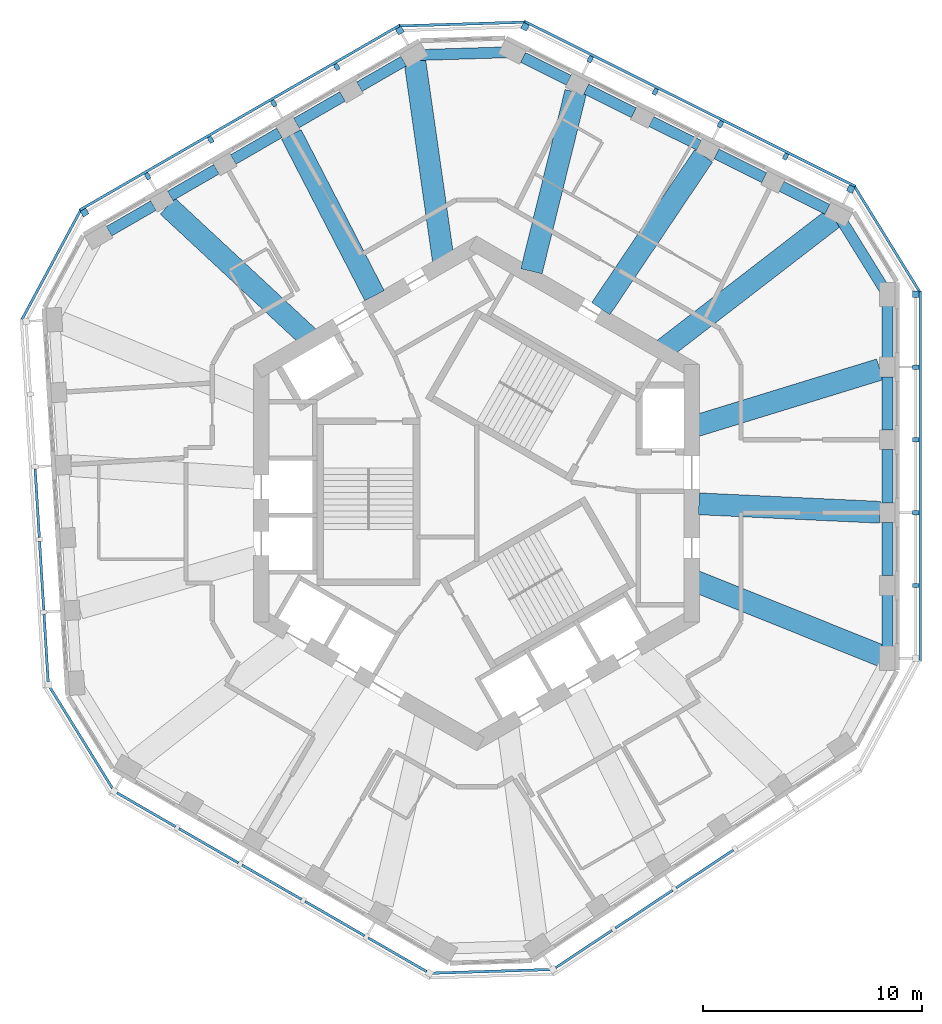
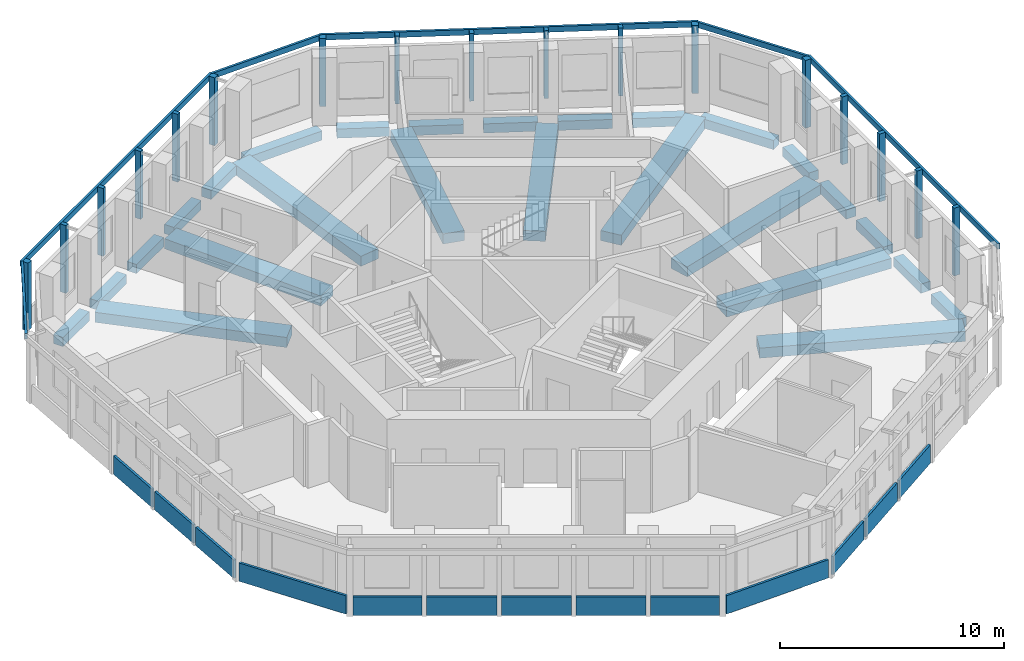
# One storey, part 2 of 10: 26 beams, 23 members, 13 plates, 11 elements without a shape of their own.
"""IFC4 building model written with IfcOpenShell, lengths in metres."""

from ifc_helpers import new_model, si_unit, direction, frame, origin, origin_2d, place, context, subcontext, project, spatial, rectangle, extrude, material, layer, layer_set, material_profile, profile_set, type_object, element, aggregate, save


model = new_model("IFC4")

# Units and contexts
model_context = context("Model", 3, precision=1e-05, world=origin(), true_north=direction((0.0, 1.0)))
body_context = subcontext(model_context, "Body", "Model", "MODEL_VIEW")
ifc_project = project(units=[si_unit("LENGTHUNIT", "METRE"), si_unit("AREAUNIT", "SQUARE_METRE"), si_unit("VOLUMEUNIT", "CUBIC_METRE"), si_unit("PLANEANGLEUNIT", "RADIAN"), si_unit("MASSUNIT", "GRAM", prefix="KILO")], contexts=[model_context])

# Site, building, storey
site_placement = place(None, origin())
site = spatial("IfcSite", under=ifc_project, at=site_placement, CompositionType="ELEMENT")
building_placement = place(site_placement, origin())
building = spatial("IfcBuilding", under=site, at=building_placement, Name="Vanh Sen Convention Tower", CompositionType="ELEMENT")
storey_placement = place(building_placement, frame((0.0, 0.0, 263.5)))
storey = spatial("IfcBuildingStorey", under=building, at=storey_placement, Name="L65", CompositionType="ELEMENT", Elevation=263.5)

# Curtain wall, member
ifc_material_1 = material(Name="Concrete C50/60", Category="concrete")
curtain_wall_type = type_object("IfcCurtainWallType", Name="Outer skin office zone", PredefinedType="NOTDEFINED", material=ifc_material_1)
curtain_wall_1_placement = place(storey_placement, origin())
curtain_wall_1 = element("IfcCurtainWall", 1, at=curtain_wall_1_placement, inside=storey, type_object=curtain_wall_type, Name="OUTER SKIN E L65", PredefinedType="NOTDEFINED")
ifc_material_profile_1 = material_profile(ifc_material_1, rectangle(XDim=0.300048828125, YDim=0.300048828125, at=origin_2d()), Name="Outer skin precast corner fin 300 x 300")
ifc_profile_set_1 = profile_set([ifc_material_profile_1], Name="Concrete C50/60")
member_type_1 = type_object("IfcMemberType", Name="Outer skin precast corner fin 300 x 300", PredefinedType="MULLION", material=ifc_profile_set_1)
member_1_placement = place(storey_placement, frame((20.10009765625, 9.111572265625, 0.0), z_axis=(0.0, 0.0, 1.0), x_axis=(0.0, 1.0, 0.0)))
member_1 = element("IfcMember", 2, at=member_1_placement, type_object=member_type_1, Name="OUTER SKIN CORNER FIN 6 E L65", PredefinedType="MULLION", context=body_context, shape_type="SweptSolid", body=[
    extrude(rectangle(XDim=0.300048828125, YDim=0.300048828125, at=origin_2d()), origin(), (0.0, 0.0, 1.0), 3.699951171875),
])

# Curtain wall, members
curtain_wall_2_placement = place(storey_placement, origin())
curtain_wall_2 = element("IfcCurtainWall", 3, at=curtain_wall_2_placement, inside=storey, type_object=curtain_wall_type, Name="OUTER SKIN NE L65", PredefinedType="NOTDEFINED")
member_2_placement = place(storey_placement, frame((17.122802734375, 13.922607421875, 0.0), z_axis=(0.0, 0.0, 1.0), x_axis=(-0.894934361602, 0.44619781311, 0.0)))
member_2 = element("IfcMember", 4, at=member_2_placement, type_object=member_type_1, Name="OUTER SKIN CORNER FIN 1 NE L65", PredefinedType="MULLION", context=body_context, shape_type="SweptSolid", body=[
    extrude(rectangle(XDim=0.300048828125, YDim=0.300048828125, at=origin_2d()), origin(), (0.0, 0.0, 1.0), 3.699951171875),
])
member_3_placement = place(storey_placement, frame((2.21484375, 21.35546875, 0.0), z_axis=(0.0, 0.0, 1.0), x_axis=(-0.894934361602, 0.44619781311, 0.0)))
member_3 = element("IfcMember", 5, at=member_3_placement, type_object=member_type_1, Name="OUTER SKIN CORNER FIN 6 NE L65", PredefinedType="MULLION", context=body_context, shape_type="SweptSolid", body=[
    extrude(rectangle(XDim=0.300048828125, YDim=0.300048828125, at=origin_2d()), origin(), (0.0, 0.0, 1.0), 3.699951171875),
])

curtain_wall_3_placement = place(storey_placement, origin())
curtain_wall_3 = element("IfcCurtainWall", 6, at=curtain_wall_3_placement, inside=storey, type_object=curtain_wall_type, Name="OUTER SKIN NW L65", PredefinedType="NOTDEFINED")
member_4_placement = place(storey_placement, frame((-3.514404296875, 21.180419921875, 0.0), z_axis=(0.0, 0.0, 1.0), x_axis=(-0.866025403784, -0.5, 0.0)))
member_4 = element("IfcMember", 7, at=member_4_placement, type_object=member_type_1, Name="OUTER SKIN CORNER FIN 1 NW L65", PredefinedType="MULLION", context=body_context, shape_type="SweptSolid", body=[
    extrude(rectangle(XDim=0.300048828125, YDim=0.300048828125, at=origin_2d()), origin(), (0.0, 0.0, 1.0), 3.699951171875),
])
member_5_placement = place(storey_placement, frame((-17.94091796875, 12.851318359375, 0.0), z_axis=(0.0, 0.0, 1.0), x_axis=(-0.866025403784, -0.5, 0.0)))
member_5 = element("IfcMember", 8, at=member_5_placement, type_object=member_type_1, Name="OUTER SKIN CORNER FIN 6 NW L65", PredefinedType="MULLION", context=body_context, shape_type="SweptSolid", body=[
    extrude(rectangle(XDim=0.300048828125, YDim=0.300048828125, at=origin_2d()), origin(), (0.0, 0.0, 1.0), 3.699951171875),
])

# Member
ifc_material_profile_2 = material_profile(ifc_material_1, rectangle(XDim=0.199951171875, YDim=0.300048828125, at=origin_2d()), Name="Outer skin precast fin 200 x 300")
ifc_profile_set_2 = profile_set([ifc_material_profile_2], Name="Concrete C50/60")
member_type_2 = type_object("IfcMemberType", Name="Outer skin precast fin 200 x 300", PredefinedType="MULLION", material=ifc_profile_set_2)
member_6_placement = place(storey_placement, frame((20.10009765625, -4.215087890625, 0.0), z_axis=(0.0, 0.0, 1.0), x_axis=(0.0, 1.0, 0.0)))
member_6 = element("IfcMember", 9, at=member_6_placement, type_object=member_type_2, Name="OUTER SKIN fin 2 E L65", PredefinedType="MULLION", context=body_context, shape_type="SweptSolid", body=[
    extrude(rectangle(XDim=0.199951171875, YDim=0.300048828125, at=origin_2d()), origin(), (0.0, 0.0, 1.0), 3.699951171875),
])

member_7_placement = place(storey_placement, frame((20.10009765625, -0.88330078125, 0.0), z_axis=(0.0, 0.0, 1.0), x_axis=(0.0, 1.0, 0.0)))
member_7 = element("IfcMember", 10, at=member_7_placement, type_object=member_type_2, Name="OUTER SKIN fin 3 E L65", PredefinedType="MULLION", context=body_context, shape_type="SweptSolid", body=[
    extrude(rectangle(XDim=0.199951171875, YDim=0.300048828125, at=origin_2d()), origin(), (0.0, 0.0, 1.0), 3.699951171875),
])

member_8_placement = place(storey_placement, frame((20.10009765625, 2.4482421875, 0.0), z_axis=(0.0, 0.0, 1.0), x_axis=(0.0, 1.0, 0.0)))
member_8 = element("IfcMember", 11, at=member_8_placement, type_object=member_type_2, Name="OUTER SKIN fin 4 E L65", PredefinedType="MULLION", context=body_context, shape_type="SweptSolid", body=[
    extrude(rectangle(XDim=0.199951171875, YDim=0.300048828125, at=origin_2d()), origin(), (0.0, 0.0, 1.0), 3.699951171875),
])

member_9_placement = place(storey_placement, frame((20.10009765625, 5.77978515625, 0.0), z_axis=(0.0, 0.0, 1.0), x_axis=(0.0, 1.0, 0.0)))
member_9 = element("IfcMember", 12, at=member_9_placement, type_object=member_type_2, Name="OUTER SKIN fin 5 E L65", PredefinedType="MULLION", context=body_context, shape_type="SweptSolid", body=[
    extrude(rectangle(XDim=0.199951171875, YDim=0.300048828125, at=origin_2d()), origin(), (0.0, 0.0, 1.0), 3.699951171875),
])

member_10_placement = place(storey_placement, frame((14.14111328125, 15.4091796875, 0.0), z_axis=(0.0, 0.0, 1.0), x_axis=(-0.894934361602, 0.44619781311, 0.0)))
member_10 = element("IfcMember", 13, at=member_10_placement, type_object=member_type_2, Name="OUTER SKIN fin 2 NE L65", PredefinedType="MULLION", context=body_context, shape_type="SweptSolid", body=[
    extrude(rectangle(XDim=0.199951171875, YDim=0.300048828125, at=origin_2d()), origin(), (0.0, 0.0, 1.0), 3.699951171875),
])

member_11_placement = place(storey_placement, frame((11.15966796875, 16.895751953125, 0.0), z_axis=(0.0, 0.0, 1.0), x_axis=(-0.894934361602, 0.44619781311, 0.0)))
member_11 = element("IfcMember", 14, at=member_11_placement, type_object=member_type_2, Name="OUTER SKIN fin 3 NE L65", PredefinedType="MULLION", context=body_context, shape_type="SweptSolid", body=[
    extrude(rectangle(XDim=0.199951171875, YDim=0.300048828125, at=origin_2d()), origin(), (0.0, 0.0, 1.0), 3.699951171875),
])

member_12_placement = place(storey_placement, frame((8.177978515625, 18.38232421875, 0.0), z_axis=(0.0, 0.0, 1.0), x_axis=(-0.894934361602, 0.44619781311, 0.0)))
member_12 = element("IfcMember", 15, at=member_12_placement, type_object=member_type_2, Name="OUTER SKIN fin 4 NE L65", PredefinedType="MULLION", context=body_context, shape_type="SweptSolid", body=[
    extrude(rectangle(XDim=0.199951171875, YDim=0.300048828125, at=origin_2d()), origin(), (0.0, 0.0, 1.0), 3.699951171875),
])

member_13_placement = place(storey_placement, frame((5.1962890625, 19.868896484375, 0.0), z_axis=(0.0, 0.0, 1.0), x_axis=(-0.894934361602, 0.44619781311, 0.0)))
member_13 = element("IfcMember", 16, at=member_13_placement, type_object=member_type_2, Name="OUTER SKIN fin 5 NE L65", PredefinedType="MULLION", context=body_context, shape_type="SweptSolid", body=[
    extrude(rectangle(XDim=0.199951171875, YDim=0.300048828125, at=origin_2d()), origin(), (0.0, 0.0, 1.0), 3.699951171875),
])

member_14_placement = place(storey_placement, frame((-6.399658203125, 19.5146484375, 0.0), z_axis=(0.0, 0.0, 1.0), x_axis=(-0.866025403784, -0.5, 0.0)))
member_14 = element("IfcMember", 17, at=member_14_placement, type_object=member_type_2, Name="OUTER SKIN fin 2 NW L65", PredefinedType="MULLION", context=body_context, shape_type="SweptSolid", body=[
    extrude(rectangle(XDim=0.199951171875, YDim=0.300048828125, at=origin_2d()), origin(), (0.0, 0.0, 1.0), 3.699951171875),
])

member_15_placement = place(storey_placement, frame((-9.284912109375, 17.848876953125, 0.0), z_axis=(0.0, 0.0, 1.0), x_axis=(-0.866025403784, -0.5, 0.0)))
member_15 = element("IfcMember", 18, at=member_15_placement, type_object=member_type_2, Name="OUTER SKIN fin 3 NW L65", PredefinedType="MULLION", context=body_context, shape_type="SweptSolid", body=[
    extrude(rectangle(XDim=0.199951171875, YDim=0.300048828125, at=origin_2d()), origin(), (0.0, 0.0, 1.0), 3.699951171875),
])

member_16_placement = place(storey_placement, frame((-12.170166015625, 16.18310546875, 0.0), z_axis=(0.0, 0.0, 1.0), x_axis=(-0.866025403784, -0.5, 0.0)))
member_16 = element("IfcMember", 19, at=member_16_placement, type_object=member_type_2, Name="OUTER SKIN fin 4 NW L65", PredefinedType="MULLION", context=body_context, shape_type="SweptSolid", body=[
    extrude(rectangle(XDim=0.199951171875, YDim=0.300048828125, at=origin_2d()), origin(), (0.0, 0.0, 1.0), 3.699951171875),
])

member_17_placement = place(storey_placement, frame((-15.055419921875, 14.51708984375, 0.0), z_axis=(0.0, 0.0, 1.0), x_axis=(-0.866025403784, -0.5, 0.0)))
member_17 = element("IfcMember", 20, at=member_17_placement, type_object=member_type_2, Name="OUTER SKIN fin 5 NW L65", PredefinedType="MULLION", context=body_context, shape_type="SweptSolid", body=[
    extrude(rectangle(XDim=0.199951171875, YDim=0.300048828125, at=origin_2d()), origin(), (0.0, 0.0, 1.0), 3.699951171875),
])

ifc_material_profile_3 = material_profile(ifc_material_1, rectangle(XDim=0.1201171875, YDim=0.300048828125, at=origin_2d()), Name="Outer skin precast spandrel band 300 x 120")
ifc_profile_set_3 = profile_set([ifc_material_profile_3], Name="Concrete C50/60")
member_type_3 = type_object("IfcMemberType", Name="Outer skin precast spandrel band 300 x 120", PredefinedType="USERDEFINED", material=ifc_profile_set_3)
member_18_placement = place(storey_placement, frame((20.31005859375, -7.69677734375, 3.550048828125), z_axis=(0.0, 1.0, 0.0), x_axis=(-1.0, 0.0, 0.0)))
member_18 = element("IfcMember", 21, at=member_18_placement, type_object=member_type_3, Name="OUTER SKIN spandrel band E L65", ObjectType="TRANSOM", PredefinedType="USERDEFINED", context=body_context, shape_type="SweptSolid", body=[
    extrude(rectangle(XDim=0.1201171875, YDim=0.300048828125, at=origin_2d()), origin(), (0.0, 0.0, 1.0), 16.958251953125),
])

aggregate(curtain_wall_1, [member_6, member_7, member_8, member_9, member_1, member_18])

# Curtain wall, member
curtain_wall_4_placement = place(storey_placement, origin())
curtain_wall_4 = element("IfcCurtainWall", 22, at=curtain_wall_4_placement, inside=storey, type_object=curtain_wall_type, Name="OUTER SKIN CH1 L65", PredefinedType="NOTDEFINED")
member_19_placement = place(storey_placement, frame((20.278564453125, 9.221923828125, 3.550048828125), z_axis=(-0.52621200061, 0.850353415007, 0.0), x_axis=(-0.850353415007, -0.52621200061, 0.0)))
member_19 = element("IfcMember", 23, at=member_19_placement, type_object=member_type_3, Name="OUTER SKIN spandrel band CH1 L65", ObjectType="TRANSOM", PredefinedType="USERDEFINED", context=body_context, shape_type="SweptSolid", body=[
    extrude(rectangle(XDim=0.1201171875, YDim=0.300048828125, at=origin_2d()), origin(), (0.0, 0.0, 1.0), 5.657958984375),
])
aggregate(curtain_wall_4, [member_19])

# Member
member_20_placement = place(storey_placement, frame((17.3505859375, 14.043701171875, 3.550048828125), z_axis=(-0.894933383827, 0.446199774218, 0.0), x_axis=(-0.446199774218, -0.894933383827, 0.0)))
member_20 = element("IfcMember", 24, at=member_20_placement, type_object=member_type_3, Name="OUTER SKIN spandrel band NE L65", ObjectType="TRANSOM", PredefinedType="USERDEFINED", context=body_context, shape_type="SweptSolid", body=[
    extrude(rectangle(XDim=0.1201171875, YDim=0.300048828125, at=origin_2d()), origin(), (0.0, 0.0, 1.0), 16.9580078125),
])

aggregate(curtain_wall_2, [member_2, member_10, member_11, member_12, member_13, member_3, member_20])

# Curtain wall, member
curtain_wall_5_placement = place(storey_placement, origin())
curtain_wall_5 = element("IfcCurtainWall", 25, at=curtain_wall_5_placement, inside=storey, type_object=curtain_wall_type, Name="OUTER SKIN CH2 L65", PredefinedType="NOTDEFINED")
member_21_placement = place(storey_placement, frame((2.208251953125, 21.5654296875, 3.550048828125), z_axis=(-0.999533527312, -0.030540592307, 0.0), x_axis=(0.030540592307, -0.999533527312, 0.0)))
member_21 = element("IfcMember", 26, at=member_21_placement, type_object=member_type_3, Name="OUTER SKIN spandrel band CH2 L65", ObjectType="TRANSOM", PredefinedType="USERDEFINED", context=body_context, shape_type="SweptSolid", body=[
    extrude(rectangle(XDim=0.1201171875, YDim=0.300048828125, at=origin_2d()), origin(), (0.0, 0.0, 1.0), 5.731689453125),
])
aggregate(curtain_wall_5, [member_21])

# Member
member_22_placement = place(storey_placement, frame((-3.489501953125, 21.4375, 3.550048828125), z_axis=(-0.866022320763, -0.500005339912, 0.0), x_axis=(0.500005339912, -0.866022320763, 0.0)))
member_22 = element("IfcMember", 27, at=member_22_placement, type_object=member_type_3, Name="OUTER SKIN spandrel band NW L65", ObjectType="TRANSOM", PredefinedType="USERDEFINED", context=body_context, shape_type="SweptSolid", body=[
    extrude(rectangle(XDim=0.1201171875, YDim=0.300048828125, at=origin_2d()), origin(), (0.0, 0.0, 1.0), 16.958251953125),
])

aggregate(curtain_wall_3, [member_4, member_14, member_15, member_16, member_17, member_5, member_22])

# Curtain wall, member
curtain_wall_6_placement = place(storey_placement, origin())
curtain_wall_6 = element("IfcCurtainWall", 28, at=curtain_wall_6_placement, inside=storey, type_object=curtain_wall_type, Name="OUTER SKIN CH3 L65", PredefinedType="NOTDEFINED")
member_23_placement = place(storey_placement, frame((-18.125732421875, 12.95068359375, 3.550048828125), z_axis=(-0.473325096028, -0.880887821161, 0.0), x_axis=(0.880887821161, -0.473325096028, 0.0)))
member_23 = element("IfcMember", 29, at=member_23_placement, type_object=member_type_3, Name="OUTER SKIN spandrel band CH3 L65", ObjectType="TRANSOM", PredefinedType="USERDEFINED", context=body_context, shape_type="SweptSolid", body=[
    extrude(rectangle(XDim=0.1201171875, YDim=0.300048828125, at=origin_2d()), origin(), (0.0, 0.0, 1.0), 5.65771484375),
])
aggregate(curtain_wall_6, [member_23])

# Beams
ifc_material_2 = material(Name="Concrete C50/60", Category="concrete")
ifc_material_profile_4 = material_profile(ifc_material_2, rectangle(XDim=1.0, YDim=0.550048828125, at=origin_2d()), Name="RC 1000X550")
ifc_profile_set_4 = profile_set([ifc_material_profile_4], Name="Concrete C50/60")
beam_type_1 = type_object("IfcBeamType", Name="Radial floor beam 1000 x 550", PredefinedType="BEAM", material=ifc_profile_set_4)
beam_1_placement = place(storey_placement, frame((18.640869140625, -7.48291015625, -0.554931640625), z_axis=(-0.928018005696, 0.372535342087, 0.0), x_axis=(-0.372535342087, -0.928018005696, 0.0)))
element("IfcBeam", 30, at=beam_1_placement, inside=storey, type_object=beam_type_1, Name="Radial beam 01 L65", PredefinedType="BEAM", context=body_context, shape_type="SweptSolid", body=[
    extrude(rectangle(XDim=1.0, YDim=0.550048828125, at=origin_2d()), origin(), (0.0, 0.0, 1.0), 9.30126953125),
])
beam_2_placement = place(storey_placement, frame((18.455078125, -0.8671875, -0.554931640625), z_axis=(-0.998898306547, 0.046927318026, 0.0), x_axis=(-0.046927318026, -0.998898306547, 0.0)))
element("IfcBeam", 31, at=beam_2_placement, inside=storey, type_object=beam_type_1, Name="Radial beam 02 L65", PredefinedType="BEAM", context=body_context, shape_type="SweptSolid", body=[
    extrude(rectangle(XDim=1.0, YDim=0.550048828125, at=origin_2d()), origin(), (0.0, 0.0, 1.0), 8.292724609375),
])
beam_3_placement = place(storey_placement, frame((18.454833984375, 5.673828125, -0.554931640625), z_axis=(-0.955847406594, -0.293863463718, 0.0), x_axis=(0.293863463718, -0.955847406594, 0.0)))
element("IfcBeam", 32, at=beam_3_placement, inside=storey, type_object=beam_type_1, Name="Radial beam 03 L65", PredefinedType="BEAM", context=body_context, shape_type="SweptSolid", body=[
    extrude(rectangle(XDim=1.0, YDim=0.550048828125, at=origin_2d()), origin(), (0.0, 0.0, 1.0), 8.794921875),
])
beam_4_placement = place(storey_placement, frame((16.4306640625, 12.672607421875, -0.554931640625), z_axis=(-0.791844751327, -0.610722432695, 0.0), x_axis=(0.610722432695, -0.791844751327, 0.0)))
element("IfcBeam", 33, at=beam_4_placement, inside=storey, type_object=beam_type_1, Name="Radial beam 04 L65", PredefinedType="BEAM", context=body_context, shape_type="SweptSolid", body=[
    extrude(rectangle(XDim=1.0, YDim=0.550048828125, at=origin_2d()), origin(), (0.0, 0.0, 1.0), 9.931640625),
])
beam_5_placement = place(storey_placement, frame((10.38525390625, 15.443603515625, -0.554931640625), z_axis=(-0.558018918526, -0.829828227145, 0.0), x_axis=(0.829828227145, -0.558018918526, 0.0)))
element("IfcBeam", 34, at=beam_5_placement, inside=storey, type_object=beam_type_1, Name="Radial beam 05 L65", PredefinedType="BEAM", context=body_context, shape_type="SweptSolid", body=[
    extrude(rectangle(XDim=1.0, YDim=0.550048828125, at=origin_2d()), origin(), (0.0, 0.0, 1.0), 8.426025390625),
])
beam_6_placement = place(storey_placement, frame((4.531494140625, 18.362060546875, -0.554931640625), z_axis=(-0.239595668833, -0.970872759674, 0.0), x_axis=(0.970872759674, -0.239595668833, 0.0)))
element("IfcBeam", 35, at=beam_6_placement, inside=storey, type_object=beam_type_1, Name="Radial beam 06 L65", PredefinedType="BEAM", context=body_context, shape_type="SweptSolid", body=[
    extrude(rectangle(XDim=1.0, YDim=0.550048828125, at=origin_2d()), origin(), (0.0, 0.0, 1.0), 8.444091796875),
])
beam_7_placement = place(storey_placement, frame((-2.840087890625, 19.885009765625, -0.554931640625), z_axis=(0.141395633576, -0.989953167986, 0.0), x_axis=(0.989953167986, 0.141395633576, 0.0)))
element("IfcBeam", 36, at=beam_7_placement, inside=storey, type_object=beam_type_1, Name="Radial beam 07 L65", PredefinedType="BEAM", context=body_context, shape_type="SweptSolid", body=[
    extrude(rectangle(XDim=1.0, YDim=0.550048828125, at=origin_2d()), origin(), (0.0, 0.0, 1.0), 9.301513671875),
])
beam_8_placement = place(storey_placement, frame((-8.476318359375, 16.416015625, -0.554931640625), z_axis=(0.458787653856, -0.888545940664, 0.0), x_axis=(0.888545940664, 0.458787653856, 0.0)))
element("IfcBeam", 37, at=beam_8_placement, inside=storey, type_object=beam_type_1, Name="Radial beam 08 L65", PredefinedType="BEAM", context=body_context, shape_type="SweptSolid", body=[
    extrude(rectangle(XDim=1.0, YDim=0.550048828125, at=origin_2d()), origin(), (0.0, 0.0, 1.0), 8.29248046875),
])
beam_9_placement = place(storey_placement, frame((-14.14111328125, 13.1455078125, -0.554931640625), z_axis=(0.732424605886, -0.680848145104, 0.0), x_axis=(0.680848145104, 0.732424605886, 0.0)))
element("IfcBeam", 38, at=beam_9_placement, inside=storey, type_object=beam_type_1, Name="Radial beam 09 L65", PredefinedType="BEAM", context=body_context, shape_type="SweptSolid", body=[
    extrude(rectangle(XDim=1.0, YDim=0.550048828125, at=origin_2d()), origin(), (0.0, 0.0, 1.0), 8.794921875),
])
ifc_material_profile_5 = material_profile(ifc_material_2, rectangle(XDim=0.5, YDim=0.5, at=origin_2d()), Name="RC 500X500")
ifc_profile_set_5 = profile_set([ifc_material_profile_5], Name="Concrete C50/60")
beam_type_2 = type_object("IfcBeamType", Name="Spandrel beam 500 x 500", PredefinedType="SPANDREL", material=ifc_profile_set_5)
beam_10_placement = place(storey_placement, frame((18.800048828125, -7.001708984375, -0.530029296875), z_axis=(0.0, 1.0, 0.0), x_axis=(-1.0, 0.0, 0.0)))
element("IfcBeam", 39, at=beam_10_placement, inside=storey, type_object=beam_type_2, Name="Spandrel beam 01 L65", PredefinedType="SPANDREL", context=body_context, shape_type="SweptSolid", body=[
    extrude(rectangle(XDim=0.5, YDim=0.5, at=origin_2d()), origin(), (0.0, 0.0, 1.0), 2.341552734375),
])
for number, where, z_axis, x_axis, name in (
    (40, (18.800048828125, -3.77001953125, -0.530029296875), (0.0, 1.0, 0.0), (-1.0, 0.0, 0.0), "Spandrel beam 02 L65"),
    (41, (18.800048828125, -0.4384765625, -0.530029296875), (0.0, 1.0, 0.0), (-1.0, 0.0, 0.0), "Spandrel beam 03 L65"),
    (42, (18.800048828125, 2.893310546875, -0.530029296875), (0.0, 1.0, 0.0), (-1.0, 0.0, 0.0), "Spandrel beam 04 L65"),
):
    element("IfcBeam", number, at=place(storey_placement, frame(where, z_axis=z_axis, x_axis=x_axis)), inside=storey, type_object=beam_type_2, Name=name, PredefinedType="SPANDREL", context=body_context, shape_type="SweptSolid", body=[
        extrude(rectangle(XDim=0.5, YDim=0.5, at=origin_2d()), origin(), (0.0, 0.0, 1.0), 2.441650390625),
    ])
beam_11_placement = place(storey_placement, frame((18.800048828125, 6.224853515625, -0.530029296875), z_axis=(0.0, 1.0, 0.0), x_axis=(-1.0, 0.0, 0.0)))
element("IfcBeam", 43, at=beam_11_placement, inside=storey, type_object=beam_type_2, Name="Spandrel beam 05 L65", PredefinedType="SPANDREL", context=body_context, shape_type="SweptSolid", body=[
    extrude(rectangle(XDim=0.5, YDim=0.5, at=origin_2d()), origin(), (0.0, 0.0, 1.0), 2.341552734375),
])
beam_12_placement = place(storey_placement, frame((18.665283203125, 9.329345703125, -0.530029296875), z_axis=(-0.526223333812, 0.85034640174, 0.0), x_axis=(-0.85034640174, -0.526223333812, 0.0)))
element("IfcBeam", 44, at=beam_12_placement, inside=storey, type_object=beam_type_2, Name="Spandrel beam 06 L65", PredefinedType="SPANDREL", context=body_context, shape_type="SweptSolid", body=[
    extrude(rectangle(XDim=0.5, YDim=0.5, at=origin_2d()), origin(), (0.0, 0.0, 1.0), 3.777587890625),
])
beam_13_placement = place(storey_placement, frame((16.054931640625, 13.00244140625, -0.530029296875), z_axis=(-0.894947932365, 0.446170593334, 0.0), x_axis=(-0.446170593334, -0.894947932365, 0.0)))
element("IfcBeam", 45, at=beam_13_placement, inside=storey, type_object=beam_type_2, Name="Spandrel beam 07 L65", PredefinedType="SPANDREL", context=body_context, shape_type="SweptSolid", body=[
    extrude(rectangle(XDim=0.5, YDim=0.5, at=origin_2d()), origin(), (0.0, 0.0, 1.0), 2.341552734375),
])
for number, where, z_axis, x_axis, name in (
    (46, (13.162841796875, 14.4443359375, -0.530029296875), (-0.894946555388, 0.446173355323, 0.0), (-0.446173355323, -0.894946555388, 0.0), "Spandrel beam 08 L65"),
    (47, (10.18115234375, 15.930908203125, -0.530029296875), (-0.894906625839, 0.446253438114, 0.0), (-0.446253438114, -0.894906625839, 0.0), "Spandrel beam 09 L65"),
    (48, (7.19970703125, 17.41748046875, -0.530029296875), (-0.894946555388, 0.446173355323, 0.0), (-0.446173355323, -0.894946555388, 0.0), "Spandrel beam 10 L65"),
):
    element("IfcBeam", number, at=place(storey_placement, frame(where, z_axis=z_axis, x_axis=x_axis)), inside=storey, type_object=beam_type_2, Name=name, PredefinedType="SPANDREL", context=body_context, shape_type="SweptSolid", body=[
        extrude(rectangle(XDim=0.5, YDim=0.5, at=origin_2d()), origin(), (0.0, 0.0, 1.0), 2.441650390625),
    ])
beam_14_placement = place(storey_placement, frame((4.218017578125, 18.904052734375, -0.530029296875), z_axis=(-0.894927056226, 0.446212465127, 0.0), x_axis=(-0.446212465127, -0.894927056226, 0.0)))
element("IfcBeam", 49, at=beam_14_placement, inside=storey, type_object=beam_type_2, Name="Spandrel beam 11 L65", PredefinedType="SPANDREL", context=body_context, shape_type="SweptSolid", body=[
    extrude(rectangle(XDim=0.5, YDim=0.5, at=origin_2d()), origin(), (0.0, 0.0, 1.0), 2.341796875),
])
beam_15_placement = place(storey_placement, frame((1.36572265625, 20.183837890625, -0.530029296875), z_axis=(-0.999534883819, -0.03049616417, 0.0), x_axis=(0.03049616417, -0.999534883819, 0.0)))
element("IfcBeam", 50, at=beam_15_placement, inside=storey, type_object=beam_type_2, Name="Spandrel beam 12 L65", PredefinedType="SPANDREL", context=body_context, shape_type="SweptSolid", body=[
    extrude(rectangle(XDim=0.5, YDim=0.5, at=origin_2d()), origin(), (0.0, 0.0, 1.0), 3.962890625),
])
beam_16_placement = place(storey_placement, frame((-3.336181640625, 19.7822265625, -0.530029296875), z_axis=(-0.866027601604, -0.499996193246, 0.0), x_axis=(0.499996193246, -0.866027601604, 0.0)))
element("IfcBeam", 51, at=beam_16_placement, inside=storey, type_object=beam_type_2, Name="Spandrel beam 13 L65", PredefinedType="SPANDREL", context=body_context, shape_type="SweptSolid", body=[
    extrude(rectangle(XDim=0.5, YDim=0.5, at=origin_2d()), origin(), (0.0, 0.0, 1.0), 2.341796875),
])
for number, where, z_axis, x_axis, name in (
    (52, (-6.135009765625, 18.166259765625, -0.530029296875), (-0.866044051031, -0.49996770063, 0.0), (0.49996770063, -0.866044051031, 0.0), "Spandrel beam 14 L65"),
    (53, (-9.020263671875, 16.50048828125, -0.530029296875), (-0.866044051031, -0.49996770063, 0.0), (0.49996770063, -0.866044051031, 0.0), "Spandrel beam 15 L65"),
    (54, (-11.905517578125, 14.834716796875, -0.530029296875), (-0.866000753341, -0.500042693391, 0.0), (0.500042693391, -0.866000753341, 0.0), "Spandrel beam 16 L65"),
):
    element("IfcBeam", number, at=place(storey_placement, frame(where, z_axis=z_axis, x_axis=x_axis)), inside=storey, type_object=beam_type_2, Name=name, PredefinedType="SPANDREL", context=body_context, shape_type="SweptSolid", body=[
        extrude(rectangle(XDim=0.5, YDim=0.5, at=origin_2d()), origin(), (0.0, 0.0, 1.0), 2.441650390625),
    ])
beam_17_placement = place(storey_placement, frame((-14.791015625, 13.168701171875, -0.530029296875), z_axis=(-0.866046683436, -0.499963140751, 0.0), x_axis=(0.499963140751, -0.866046683436, 0.0)))
element("IfcBeam", 55, at=beam_17_placement, inside=storey, type_object=beam_type_2, Name="Spandrel beam 17 L65", PredefinedType="SPANDREL", context=body_context, shape_type="SweptSolid", body=[
    extrude(rectangle(XDim=0.5, YDim=0.5, at=origin_2d()), origin(), (0.0, 0.0, 1.0), 2.341552734375),
])

# Curtain wall, plates
curtain_wall_7_placement = place(storey_placement, origin())
curtain_wall_7 = element("IfcCurtainWall", 56, at=curtain_wall_7_placement, inside=storey, type_object=curtain_wall_type, Name="OUTER SKIN W L65", PredefinedType="NOTDEFINED")
ifc_layer = layer(ifc_material_1, 0.1201171875)
ifc_layer_set = layer_set([ifc_layer], Name="Concrete C50/60")
plate_type = type_object("IfcPlateType", Name="Outer skin precast screen panel 120", PredefinedType="CURTAIN_PANEL", material=ifc_layer_set)
plate_1_placement = place(storey_placement, frame((-20.1103515625, -0.4462890625, 0.0), z_axis=(0.0, 0.0, 1.0), x_axis=(0.061052023682, -0.998134585316, 0.0)))
plate_1 = element("IfcPlate", 57, at=plate_1_placement, type_object=plate_type, Name="OUTER SKIN screen panel W-3", PredefinedType="CURTAIN_PANEL", context=body_context, shape_type="SweptSolid", body=[
    extrude(rectangle(XDim=3.131591796875, YDim=0.1201171875, at=origin_2d()), origin(), (0.0, 0.0, 1.0), 1.0),
])
plate_2_placement = place(storey_placement, frame((-19.906982421875, -3.771484375, 0.0), z_axis=(0.0, 0.0, 1.0), x_axis=(0.061052023682, -0.998134585316, 0.0)))
plate_2 = element("IfcPlate", 58, at=plate_2_placement, type_object=plate_type, Name="OUTER SKIN screen panel W-4", PredefinedType="CURTAIN_PANEL", context=body_context, shape_type="SweptSolid", body=[
    extrude(rectangle(XDim=3.131591796875, YDim=0.1201171875, at=origin_2d()), origin(), (0.0, 0.0, 1.0), 1.0),
])
plate_3_placement = place(storey_placement, frame((-19.705078125, -7.072021484375, 0.0), z_axis=(0.0, 0.0, 1.0), x_axis=(0.061050281609, -0.998134691871, 0.0)))
plate_3 = element("IfcPlate", 59, at=plate_3_placement, type_object=plate_type, Name="OUTER SKIN screen panel W-5", PredefinedType="CURTAIN_PANEL", context=body_context, shape_type="SweptSolid", body=[
    extrude(rectangle(XDim=3.081787109375, YDim=0.1201171875, at=origin_2d()), origin(), (0.0, 0.0, 1.0), 1.0),
])
aggregate(curtain_wall_7, [plate_1, plate_2, plate_3])

# Curtain wall, plate
curtain_wall_8_placement = place(storey_placement, origin())
curtain_wall_8 = element("IfcCurtainWall", 60, at=curtain_wall_8_placement, inside=storey, type_object=curtain_wall_type, Name="OUTER SKIN CH4 L65", PredefinedType="NOTDEFINED")
plate_4_placement = place(storey_placement, frame((-18.09375, -11.19677734375, 0.0), z_axis=(0.0, 0.0, 1.0), x_axis=(0.526210955359, -0.850354061823, 0.0)))
plate_4 = element("IfcPlate", 61, at=plate_4_placement, type_object=plate_type, Name="OUTER SKIN screen panel CH4-1", PredefinedType="CURTAIN_PANEL", context=body_context, shape_type="SweptSolid", body=[
    extrude(rectangle(XDim=5.431640625, YDim=0.1201171875, at=origin_2d()), origin(), (0.0, 0.0, 1.0), 1.0),
])
aggregate(curtain_wall_8, [plate_4])

# Curtain wall, plates
curtain_wall_9_placement = place(storey_placement, origin())
curtain_wall_9 = element("IfcCurtainWall", 62, at=curtain_wall_9_placement, inside=storey, type_object=curtain_wall_type, Name="OUTER SKIN SW L65", PredefinedType="NOTDEFINED")
plate_5_placement = place(storey_placement, frame((-15.121337890625, -14.47900390625, 0.0), z_axis=(0.0, 0.0, 1.0), x_axis=(0.866028894422, -0.49999395399, 0.0)))
plate_5 = element("IfcPlate", 63, at=plate_5_placement, type_object=plate_type, Name="OUTER SKIN screen panel SW-1", PredefinedType="CURTAIN_PANEL", context=body_context, shape_type="SweptSolid", body=[
    extrude(rectangle(XDim=3.08154296875, YDim=0.1201171875, at=origin_2d()), origin(), (0.0, 0.0, 1.0), 1.0),
])
plate_6_placement = place(storey_placement, frame((-12.2578125, -16.132568359375, 0.0), z_axis=(0.0, 0.0, 1.0), x_axis=(0.866015804314, -0.500016626402, 0.0)))
plate_6 = element("IfcPlate", 64, at=plate_6_placement, type_object=plate_type, Name="OUTER SKIN screen panel SW-2", PredefinedType="CURTAIN_PANEL", context=body_context, shape_type="SweptSolid", body=[
    extrude(rectangle(XDim=3.131591796875, YDim=0.1201171875, at=origin_2d()), origin(), (0.0, 0.0, 1.0), 1.0),
])
plate_7_placement = place(storey_placement, frame((-9.37255859375, -17.79833984375, 0.0), z_axis=(0.0, 0.0, 1.0), x_axis=(0.866028894422, -0.49999395399, 0.0)))
plate_7 = element("IfcPlate", 65, at=plate_7_placement, type_object=plate_type, Name="OUTER SKIN screen panel SW-3", PredefinedType="CURTAIN_PANEL", context=body_context, shape_type="SweptSolid", body=[
    extrude(rectangle(XDim=3.131591796875, YDim=0.1201171875, at=origin_2d()), origin(), (0.0, 0.0, 1.0), 1.0),
])
plate_8_placement = place(storey_placement, frame((-6.487060546875, -19.464111328125, 0.0), z_axis=(0.0, 0.0, 1.0), x_axis=(0.866028894422, -0.49999395399, 0.0)))
plate_8 = element("IfcPlate", 66, at=plate_8_placement, type_object=plate_type, Name="OUTER SKIN screen panel SW-4", PredefinedType="CURTAIN_PANEL", context=body_context, shape_type="SweptSolid", body=[
    extrude(rectangle(XDim=3.131591796875, YDim=0.1201171875, at=origin_2d()), origin(), (0.0, 0.0, 1.0), 1.0),
])
plate_9_placement = place(storey_placement, frame((-3.62353515625, -21.117431640625, 0.0), z_axis=(0.0, 0.0, 1.0), x_axis=(0.866028894422, -0.49999395399, 0.0)))
plate_9 = element("IfcPlate", 67, at=plate_9_placement, type_object=plate_type, Name="OUTER SKIN screen panel SW-5", PredefinedType="CURTAIN_PANEL", context=body_context, shape_type="SweptSolid", body=[
    extrude(rectangle(XDim=3.08154296875, YDim=0.1201171875, at=origin_2d()), origin(), (0.0, 0.0, 1.0), 1.0),
])
aggregate(curtain_wall_9, [plate_5, plate_6, plate_7, plate_8, plate_9])

# Curtain wall, plate
curtain_wall_10_placement = place(storey_placement, origin())
curtain_wall_10 = element("IfcCurtainWall", 68, at=curtain_wall_10_placement, inside=storey, type_object=curtain_wall_type, Name="OUTER SKIN CH5 L65", PredefinedType="NOTDEFINED")
plate_10_placement = place(storey_placement, frame((0.66845703125, -21.87646484375, 0.0), z_axis=(0.0, 0.0, 1.0), x_axis=(0.999533590837, 0.03053851321, 0.0)))
plate_10 = element("IfcPlate", 69, at=plate_10_placement, type_object=plate_type, Name="OUTER SKIN screen panel CH5-1", PredefinedType="CURTAIN_PANEL", context=body_context, shape_type="SweptSolid", body=[
    extrude(rectangle(XDim=5.35791015625, YDim=0.1201171875, at=origin_2d()), origin(), (0.0, 0.0, 1.0), 1.0),
])
aggregate(curtain_wall_10, [plate_10])

# Curtain wall, plates
curtain_wall_11_placement = place(storey_placement, origin())
curtain_wall_11 = element("IfcCurtainWall", 70, at=curtain_wall_11_placement, inside=storey, type_object=curtain_wall_type, Name="OUTER SKIN SE L65", PredefinedType="NOTDEFINED")
plate_11_placement = place(storey_placement, frame((4.906005859375, -20.85693359375, 0.0), z_axis=(0.0, 0.0, 1.0), x_axis=(0.833902198, 0.551912243179, 0.0)))
plate_11 = element("IfcPlate", 71, at=plate_11_placement, type_object=plate_type, Name="OUTER SKIN screen panel SE-1", PredefinedType="CURTAIN_PANEL", context=body_context, shape_type="SweptSolid", body=[
    extrude(rectangle(XDim=3.081787109375, YDim=0.1201171875, at=origin_2d()), origin(), (0.0, 0.0, 1.0), 1.0),
])
plate_12_placement = place(storey_placement, frame((7.663330078125, -19.03173828125, 0.0), z_axis=(0.0, 0.0, 1.0), x_axis=(0.833879078823, 0.551947173108, 0.0)))
plate_12 = element("IfcPlate", 72, at=plate_12_placement, type_object=plate_type, Name="OUTER SKIN screen panel SE-2", PredefinedType="CURTAIN_PANEL", context=body_context, shape_type="SweptSolid", body=[
    extrude(rectangle(XDim=3.131591796875, YDim=0.1201171875, at=origin_2d()), origin(), (0.0, 0.0, 1.0), 1.0),
])
plate_13_placement = place(storey_placement, frame((10.44140625, -17.193115234375, 0.0), z_axis=(0.0, 0.0, 1.0), x_axis=(0.833892565187, 0.551926797434, 0.0)))
plate_13 = element("IfcPlate", 73, at=plate_13_placement, type_object=plate_type, Name="OUTER SKIN screen panel SE-3", PredefinedType="CURTAIN_PANEL", context=body_context, shape_type="SweptSolid", body=[
    extrude(rectangle(XDim=3.131591796875, YDim=0.1201171875, at=origin_2d()), origin(), (0.0, 0.0, 1.0), 1.0),
])
aggregate(curtain_wall_11, [plate_11, plate_12, plate_13])

save(model, "model.ifc")
